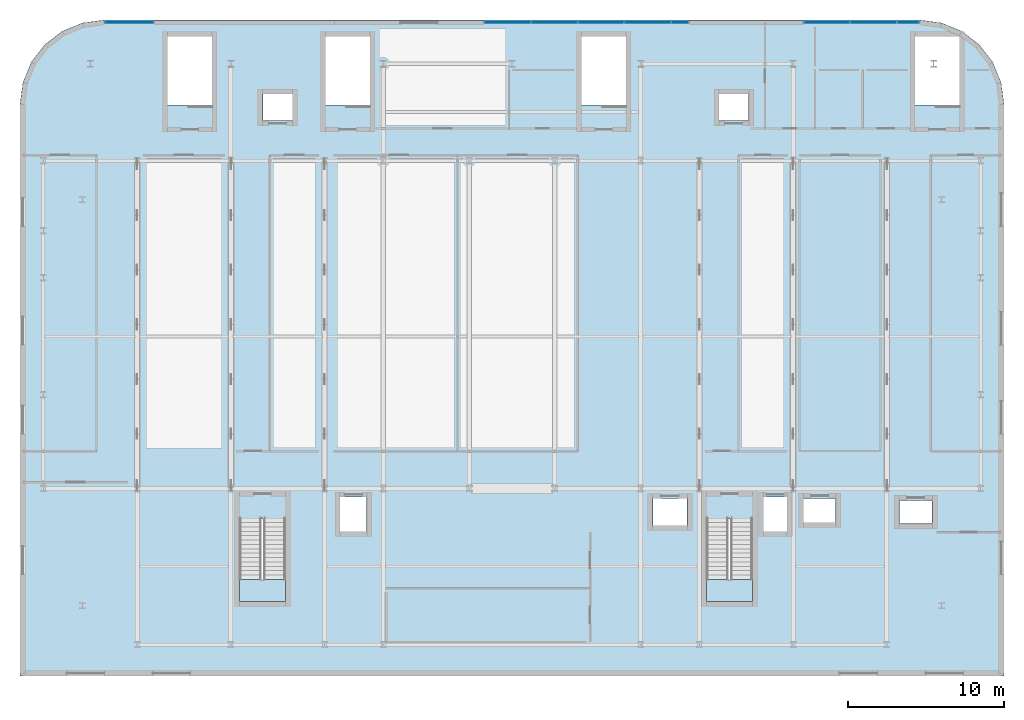
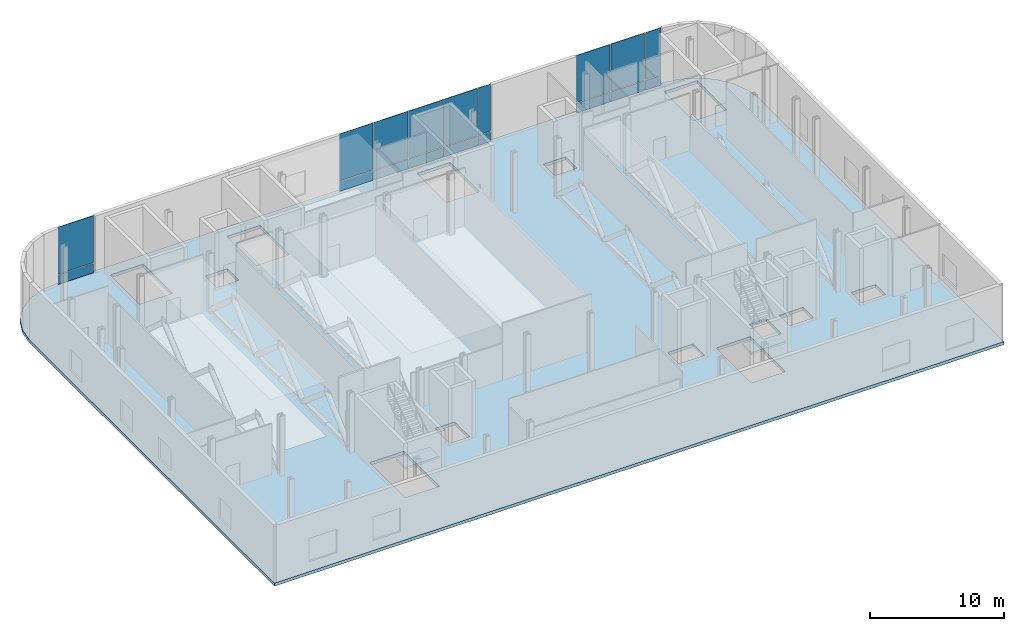
# One storey, part 9 of 17: 18 plates, 3 slabs, 5 elements without a shape of their own.
"""IFC4 building model written with IfcOpenShell, lengths in metres."""

from ifc_helpers import new_model, si_unit, direction, frame, origin, origin_2d, place, context, subcontext, project, spatial, polyline, rectangle, outline, extrude, material, layer, layer_set, type_object, element, aggregate, save


model = new_model("IFC4")

# Units and contexts
model_context = context("Model", 3, precision=1e-05, world=origin(), true_north=direction((0.0, 1.0)))
body_context = subcontext(model_context, "Body", "Model", "MODEL_VIEW")
ifc_project = project(units=[si_unit("LENGTHUNIT", "METRE"), si_unit("AREAUNIT", "SQUARE_METRE"), si_unit("VOLUMEUNIT", "CUBIC_METRE"), si_unit("PLANEANGLEUNIT", "RADIAN"), si_unit("MASSUNIT", "GRAM", prefix="KILO")], contexts=[model_context])

# Site, building, storey
site_placement = place(None, origin())
site = spatial("IfcSite", under=ifc_project, at=site_placement, CompositionType="ELEMENT")
building_placement = place(site_placement, origin())
building = spatial("IfcBuilding", under=site, at=building_placement, Name="Brevholm Reach", CompositionType="ELEMENT")
storey_placement = place(building_placement, frame((0.0, 0.0, 22.5)))
storey = spatial("IfcBuildingStorey", under=building, at=storey_placement, Name="L05", CompositionType="ELEMENT", Elevation=22.5)

# Curtain wall, plates
ifc_material_1 = material(Name="Dark Anodised Aluminium 6063-T6 and Solar-Control Glass", Category="aluminium")
ifc_layer_1 = layer(ifc_material_1, 0.1650390625)
ifc_layer_set_1 = layer_set([ifc_layer_1], Name="Dark Anodised Aluminium 6063-T6 and Solar-Control Glass")
curtain_wall_type = type_object("IfcCurtainWallType", Name="CW-03", PredefinedType="NOTDEFINED", material=ifc_layer_set_1)
curtain_wall_1_placement = place(storey_placement, origin())
curtain_wall_1 = element("IfcCurtainWall", 1, at=curtain_wall_1_placement, inside=storey, type_object=curtain_wall_type, Name="L05 Curtain Wall CW-03", PredefinedType="NOTDEFINED")
ifc_material_2 = material(Name="Triple-Glazed Acoustic School IGU Glass", Category="glass")
ifc_layer_2 = layer(ifc_material_2, 0.0439453125)
ifc_layer_set_2 = layer_set([ifc_layer_2], Name="Triple-Glazed Acoustic School IGU Glass")
plate_type = type_object("IfcPlateType", Name="CWP-ACU-44", PredefinedType="CURTAIN_PANEL", material=ifc_layer_set_2)
plate_1_placement = place(storey_placement, frame((5.5, 39.830078125, 0.0), z_axis=(0.0, 0.0, 1.0), x_axis=(1.0, 0.0, 0.0)))
plate_1 = element("IfcPlate", 2, at=plate_1_placement, type_object=plate_type, Name="CP-03 Glazing Panel 1.1", PredefinedType="CURTAIN_PANEL", context=body_context, shape_type="SweptSolid", body=[
    extrude(rectangle(XDim=3.06005859375, YDim=0.0439453125, at=origin_2d()), origin(), (0.0, 0.0, 1.0), 0.864990234375),
])
plate_2_placement = place(storey_placement, frame((5.5, 39.830078125, 0.93505859375), z_axis=(0.0, 0.0, 1.0), x_axis=(1.0, 0.0, 0.0)))
plate_2 = element("IfcPlate", 3, at=plate_2_placement, type_object=plate_type, Name="CP-03 Glazing Panel 1.2", PredefinedType="CURTAIN_PANEL", context=body_context, shape_type="SweptSolid", body=[
    extrude(rectangle(XDim=3.06005859375, YDim=0.0439453125, at=origin_2d()), origin(), (0.0, 0.0, 1.0), 4.294921875),
])
aggregate(curtain_wall_1, [plate_1, plate_2])

curtain_wall_2_placement = place(storey_placement, origin())
curtain_wall_2 = element("IfcCurtainWall", 4, at=curtain_wall_2_placement, inside=storey, type_object=curtain_wall_type, Name="L05 Curtain Wall CW-03", PredefinedType="NOTDEFINED")
plate_3_placement = place(storey_placement, frame((29.717529296875, 39.830078125, 0.0), z_axis=(0.0, 0.0, 1.0), x_axis=(1.0, 0.0, 0.0)))
plate_3 = element("IfcPlate", 5, at=plate_3_placement, type_object=plate_type, Name="CP-03 Glazing Panel 1.1", PredefinedType="CURTAIN_PANEL", context=body_context, shape_type="SweptSolid", body=[
    extrude(rectangle(XDim=2.89501953125, YDim=0.0439453125, at=origin_2d()), origin(), (0.0, 0.0, 1.0), 0.864990234375),
])
plate_4_placement = place(storey_placement, frame((29.717529296875, 39.830078125, 0.93505859375), z_axis=(0.0, 0.0, 1.0), x_axis=(1.0, 0.0, 0.0)))
plate_4 = element("IfcPlate", 6, at=plate_4_placement, type_object=plate_type, Name="CP-03 Glazing Panel 1.2", PredefinedType="CURTAIN_PANEL", context=body_context, shape_type="SweptSolid", body=[
    extrude(rectangle(XDim=2.89501953125, YDim=0.0439453125, at=origin_2d()), origin(), (0.0, 0.0, 1.0), 4.294921875),
])
plate_5_placement = place(storey_placement, frame((32.699951171875, 39.830078125, 0.0), z_axis=(0.0, 0.0, 1.0), x_axis=(1.0, 0.0, 0.0)))
plate_5 = element("IfcPlate", 7, at=plate_5_placement, type_object=plate_type, Name="CP-03 Glazing Panel 2.1", PredefinedType="CURTAIN_PANEL", context=body_context, shape_type="SweptSolid", body=[
    extrude(rectangle(XDim=2.929931640625, YDim=0.0439453125, at=origin_2d()), origin(), (0.0, 0.0, 1.0), 0.864990234375),
])
plate_6_placement = place(storey_placement, frame((32.699951171875, 39.830078125, 0.93505859375), z_axis=(0.0, 0.0, 1.0), x_axis=(1.0, 0.0, 0.0)))
plate_6 = element("IfcPlate", 8, at=plate_6_placement, type_object=plate_type, Name="CP-03 Glazing Panel 2.2", PredefinedType="CURTAIN_PANEL", context=body_context, shape_type="SweptSolid", body=[
    extrude(rectangle(XDim=2.929931640625, YDim=0.0439453125, at=origin_2d()), origin(), (0.0, 0.0, 1.0), 4.294921875),
])
plate_7_placement = place(storey_placement, frame((35.699951171875, 39.830078125, 0.0), z_axis=(0.0, 0.0, 1.0), x_axis=(1.0, 0.0, 0.0)))
plate_7 = element("IfcPlate", 9, at=plate_7_placement, type_object=plate_type, Name="CP-03 Glazing Panel 3.1", PredefinedType="CURTAIN_PANEL", context=body_context, shape_type="SweptSolid", body=[
    extrude(rectangle(XDim=2.929931640625, YDim=0.0439453125, at=origin_2d()), origin(), (0.0, 0.0, 1.0), 0.864990234375),
])
plate_8_placement = place(storey_placement, frame((35.699951171875, 39.830078125, 0.93505859375), z_axis=(0.0, 0.0, 1.0), x_axis=(1.0, 0.0, 0.0)))
plate_8 = element("IfcPlate", 10, at=plate_8_placement, type_object=plate_type, Name="CP-03 Glazing Panel 3.2", PredefinedType="CURTAIN_PANEL", context=body_context, shape_type="SweptSolid", body=[
    extrude(rectangle(XDim=2.929931640625, YDim=0.0439453125, at=origin_2d()), origin(), (0.0, 0.0, 1.0), 4.294921875),
])
plate_9_placement = place(storey_placement, frame((38.699951171875, 39.830078125, 0.0), z_axis=(0.0, 0.0, 1.0), x_axis=(1.0, 0.0, 0.0)))
plate_9 = element("IfcPlate", 11, at=plate_9_placement, type_object=plate_type, Name="CP-03 Glazing Panel 4.1", PredefinedType="CURTAIN_PANEL", context=body_context, shape_type="SweptSolid", body=[
    extrude(rectangle(XDim=2.929931640625, YDim=0.0439453125, at=origin_2d()), origin(), (0.0, 0.0, 1.0), 0.864990234375),
])
plate_10_placement = place(storey_placement, frame((38.699951171875, 39.830078125, 0.93505859375), z_axis=(0.0, 0.0, 1.0), x_axis=(1.0, 0.0, 0.0)))
plate_10 = element("IfcPlate", 12, at=plate_10_placement, type_object=plate_type, Name="CP-03 Glazing Panel 4.2", PredefinedType="CURTAIN_PANEL", context=body_context, shape_type="SweptSolid", body=[
    extrude(rectangle(XDim=2.929931640625, YDim=0.0439453125, at=origin_2d()), origin(), (0.0, 0.0, 1.0), 4.294921875),
])
plate_11_placement = place(storey_placement, frame((40.757568359375, 39.830078125, 0.0), z_axis=(0.0, 0.0, 1.0), x_axis=(1.0, 0.0, 0.0)))
plate_11 = element("IfcPlate", 13, at=plate_11_placement, type_object=plate_type, Name="CP-03 Glazing Panel 5.1", PredefinedType="CURTAIN_PANEL", context=body_context, shape_type="SweptSolid", body=[
    extrude(rectangle(XDim=1.044921875, YDim=0.0439453125, at=origin_2d()), origin(), (0.0, 0.0, 1.0), 0.864990234375),
])
plate_12_placement = place(storey_placement, frame((40.757568359375, 39.830078125, 0.93505859375), z_axis=(0.0, 0.0, 1.0), x_axis=(1.0, 0.0, 0.0)))
plate_12 = element("IfcPlate", 14, at=plate_12_placement, type_object=plate_type, Name="CP-03 Glazing Panel 5.2", PredefinedType="CURTAIN_PANEL", context=body_context, shape_type="SweptSolid", body=[
    extrude(rectangle(XDim=1.044921875, YDim=0.0439453125, at=origin_2d()), origin(), (0.0, 0.0, 1.0), 4.294921875),
])
aggregate(curtain_wall_2, [plate_3, plate_4, plate_5, plate_6, plate_7, plate_8, plate_9, plate_10, plate_11, plate_12])

curtain_wall_3_placement = place(storey_placement, origin())
curtain_wall_3 = element("IfcCurtainWall", 15, at=curtain_wall_3_placement, inside=storey, type_object=curtain_wall_type, Name="L05 Curtain Wall CW-03", PredefinedType="NOTDEFINED")
plate_13_placement = place(storey_placement, frame((50.16748046875, 39.830078125, 0.0), z_axis=(0.0, 0.0, 1.0), x_axis=(1.0, 0.0, 0.0)))
plate_13 = element("IfcPlate", 16, at=plate_13_placement, type_object=plate_type, Name="CP-03 Glazing Panel 1.1", PredefinedType="CURTAIN_PANEL", context=body_context, shape_type="SweptSolid", body=[
    extrude(rectangle(XDim=2.89501953125, YDim=0.0439453125, at=origin_2d()), origin(), (0.0, 0.0, 1.0), 0.864990234375),
])
plate_14_placement = place(storey_placement, frame((50.16748046875, 39.830078125, 0.93505859375), z_axis=(0.0, 0.0, 1.0), x_axis=(1.0, 0.0, 0.0)))
plate_14 = element("IfcPlate", 17, at=plate_14_placement, type_object=plate_type, Name="CP-03 Glazing Panel 1.2", PredefinedType="CURTAIN_PANEL", context=body_context, shape_type="SweptSolid", body=[
    extrude(rectangle(XDim=2.89501953125, YDim=0.0439453125, at=origin_2d()), origin(), (0.0, 0.0, 1.0), 4.294921875),
])
plate_15_placement = place(storey_placement, frame((53.14990234375, 39.830078125, 0.0), z_axis=(0.0, 0.0, 1.0), x_axis=(1.0, 0.0, 0.0)))
plate_15 = element("IfcPlate", 18, at=plate_15_placement, type_object=plate_type, Name="CP-03 Glazing Panel 2.1", PredefinedType="CURTAIN_PANEL", context=body_context, shape_type="SweptSolid", body=[
    extrude(rectangle(XDim=2.929931640625, YDim=0.0439453125, at=origin_2d()), origin(), (0.0, 0.0, 1.0), 0.864990234375),
])
plate_16_placement = place(storey_placement, frame((53.14990234375, 39.830078125, 0.93505859375), z_axis=(0.0, 0.0, 1.0), x_axis=(1.0, 0.0, 0.0)))
plate_16 = element("IfcPlate", 19, at=plate_16_placement, type_object=plate_type, Name="CP-03 Glazing Panel 2.2", PredefinedType="CURTAIN_PANEL", context=body_context, shape_type="SweptSolid", body=[
    extrude(rectangle(XDim=2.929931640625, YDim=0.0439453125, at=origin_2d()), origin(), (0.0, 0.0, 1.0), 4.294921875),
])
plate_17_placement = place(storey_placement, frame((55.357421875, 39.830078125, 0.0), z_axis=(0.0, 0.0, 1.0), x_axis=(1.0, 0.0, 0.0)))
plate_17 = element("IfcPlate", 20, at=plate_17_placement, type_object=plate_type, Name="CP-03 Glazing Panel 3.1", PredefinedType="CURTAIN_PANEL", context=body_context, shape_type="SweptSolid", body=[
    extrude(rectangle(XDim=1.344970703125, YDim=0.0439453125, at=origin_2d()), origin(), (0.0, 0.0, 1.0), 0.864990234375),
])
plate_18_placement = place(storey_placement, frame((55.357421875, 39.830078125, 0.93505859375), z_axis=(0.0, 0.0, 1.0), x_axis=(1.0, 0.0, 0.0)))
plate_18 = element("IfcPlate", 21, at=plate_18_placement, type_object=plate_type, Name="CP-03 Glazing Panel 3.2", PredefinedType="CURTAIN_PANEL", context=body_context, shape_type="SweptSolid", body=[
    extrude(rectangle(XDim=1.344970703125, YDim=0.0439453125, at=origin_2d()), origin(), (0.0, 0.0, 1.0), 4.294921875),
])
aggregate(curtain_wall_3, [plate_13, plate_14, plate_15, plate_16, plate_17, plate_18])

# Slab
ifc_material_3 = material(Name="Concrete C40/50", Category="concrete")
ifc_layer_3 = layer(ifc_material_3, 0.280029296875)
ifc_layer_set_3 = layer_set([ifc_layer_3], Name="Concrete C40/50")
slab_type_1 = type_object("IfcSlabType", Name="SLB-FL-280", PredefinedType="FLOOR", material=ifc_layer_set_3)
slab_1_placement = place(storey_placement, frame((0.0, 0.0, -0.280029296875)))
element("IfcSlab", 22, at=slab_1_placement, inside=storey, type_object=slab_type_1, Name="L05 Suspended Floor Slab (main)", PredefinedType="FLOOR", context=body_context, shape_type="SweptSolid", body=[
    extrude(outline(polyline([(-1.5, -2.0), (61.5, -2.0), (61.5, 34.60009765625), (61.31591796875, 35.99755859375), (60.776611328125, 37.300048828125), (59.91845703125, 38.41845703125), (58.800048828125, 39.276611328125), (57.49755859375, 39.81591796875), (56.10009765625, 40.0), (3.89990234375, 40.0), (2.50244140625, 39.81591796875), (1.199951171875, 39.276611328125), (0.08154296875, 38.41845703125), (-0.776611328125, 37.300048828125), (-1.31591796875, 35.99755859375), (-1.5, 34.60009765625), (-1.5, -2.0)]), holes=[polyline([(12.550048828125, 2.780029296875), (15.5, 2.780029296875), (15.5, 8.044921875), (12.550048828125, 8.044921875), (12.550048828125, 2.780029296875)]), polyline([(42.449951171875, 2.780029296875), (45.39990234375, 2.780029296875), (45.39990234375, 8.044921875), (42.449951171875, 8.044921875), (42.449951171875, 2.780029296875)]), polyline([(7.949951171875, 34.554931640625), (10.800048828125, 34.554931640625), (10.800048828125, 38.929931640625), (7.949951171875, 38.929931640625), (7.949951171875, 34.554931640625)]), polyline([(18.050048828125, 34.554931640625), (20.89990234375, 34.554931640625), (20.89990234375, 38.929931640625), (18.050048828125, 38.929931640625), (18.050048828125, 34.554931640625)]), polyline([(34.449951171875, 34.554931640625), (37.300048828125, 34.554931640625), (37.300048828125, 38.929931640625), (34.449951171875, 38.929931640625), (34.449951171875, 34.554931640625)]), polyline([(55.800048828125, 34.554931640625), (58.64990234375, 34.554931640625), (58.64990234375, 38.929931640625), (55.800048828125, 38.929931640625), (55.800048828125, 34.554931640625)]), polyline([(19.0, 7.25), (20.699951171875, 7.25), (20.699951171875, 9.449951171875), (19.0, 9.449951171875), (19.0, 7.25)]), polyline([(46.10009765625, 7.25), (47.60009765625, 7.25), (47.60009765625, 9.449951171875), (46.10009765625, 9.449951171875), (46.10009765625, 7.25)]), polyline([(48.675048828125, 7.824951171875), (50.72509765625, 7.824951171875), (50.72509765625, 9.375), (48.675048828125, 9.375), (48.675048828125, 7.824951171875)]), polyline([(54.800048828125, 7.75), (56.89990234375, 7.75), (56.89990234375, 9.25), (54.800048828125, 9.25), (54.800048828125, 7.75)]), polyline([(39.02001953125, 7.64990234375), (41.219970703125, 7.64990234375), (41.219970703125, 9.35009765625), (39.02001953125, 9.35009765625), (39.02001953125, 7.64990234375)]), polyline([(14.050048828125, 33.550048828125), (15.949951171875, 33.550048828125), (15.949951171875, 35.25), (14.050048828125, 35.25), (14.050048828125, 33.550048828125)]), polyline([(43.25, 33.550048828125), (45.14990234375, 33.550048828125), (45.14990234375, 35.25), (43.25, 35.25), (43.25, 33.550048828125)])]), origin(), (0.0, 0.0, 1.0), 0.280029296875),
])

# Stair, slab
ifc_material_4 = material(Name="Precast Concrete C40/50", Category="concrete")
stair_type = type_object("IfcStairType", Name="STR-ESC-1400", PredefinedType="DOUBLE_RETURN_STAIR", material=ifc_material_4)
stair_1_placement = place(storey_placement, origin())
stair_1 = element("IfcStair", 23, at=stair_1_placement, inside=storey, type_object=stair_type, Name="L05 ST-1", PredefinedType="DOUBLE_RETURN_STAIR")
ifc_material_5 = material(Name="Concrete C40/50", Category="concrete")
ifc_layer_4 = layer(ifc_material_5, 0.199951171875)
ifc_layer_set_4 = layer_set([ifc_layer_4], Name="Concrete C40/50")
slab_type_2 = type_object("IfcSlabType", Name="SLB-LND-200", PredefinedType="LANDING", material=ifc_layer_set_4)
slab_2_placement = place(storey_placement, frame((0.0, 0.0, 2.550048828125)))
slab_2 = element("IfcSlab", 24, at=slab_2_placement, type_object=slab_type_2, Name="ST-1 landing 1", PredefinedType="LANDING", context=body_context, shape_type="SweptSolid", body=[
    extrude(outline(polyline([(12.550048828125, 4.179931640625), (12.550048828125, 2.780029296875), (15.5, 2.780029296875), (15.5, 4.179931640625), (12.550048828125, 4.179931640625)])), origin(), (0.0, 0.0, 1.0), 0.199951171875),
])
aggregate(stair_1, [slab_2])

stair_2_placement = place(storey_placement, origin())
stair_2 = element("IfcStair", 25, at=stair_2_placement, inside=storey, type_object=stair_type, Name="L05 ST-2", PredefinedType="DOUBLE_RETURN_STAIR")
slab_3_placement = place(storey_placement, frame((0.0, 0.0, 2.550048828125)))
slab_3 = element("IfcSlab", 26, at=slab_3_placement, type_object=slab_type_2, Name="ST-2 landing 1", PredefinedType="LANDING", context=body_context, shape_type="SweptSolid", body=[
    extrude(outline(polyline([(42.449951171875, 4.179931640625), (42.449951171875, 2.780029296875), (45.39990234375, 2.780029296875), (45.39990234375, 4.179931640625), (42.449951171875, 4.179931640625)])), origin(), (0.0, 0.0, 1.0), 0.199951171875),
])
aggregate(stair_2, [slab_3])

save(model, "model.ifc")
